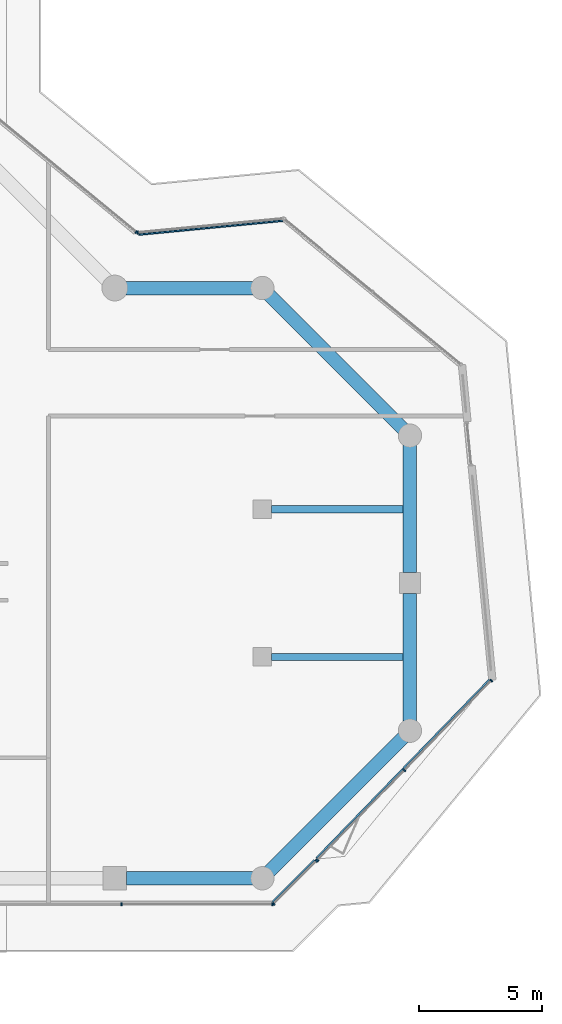
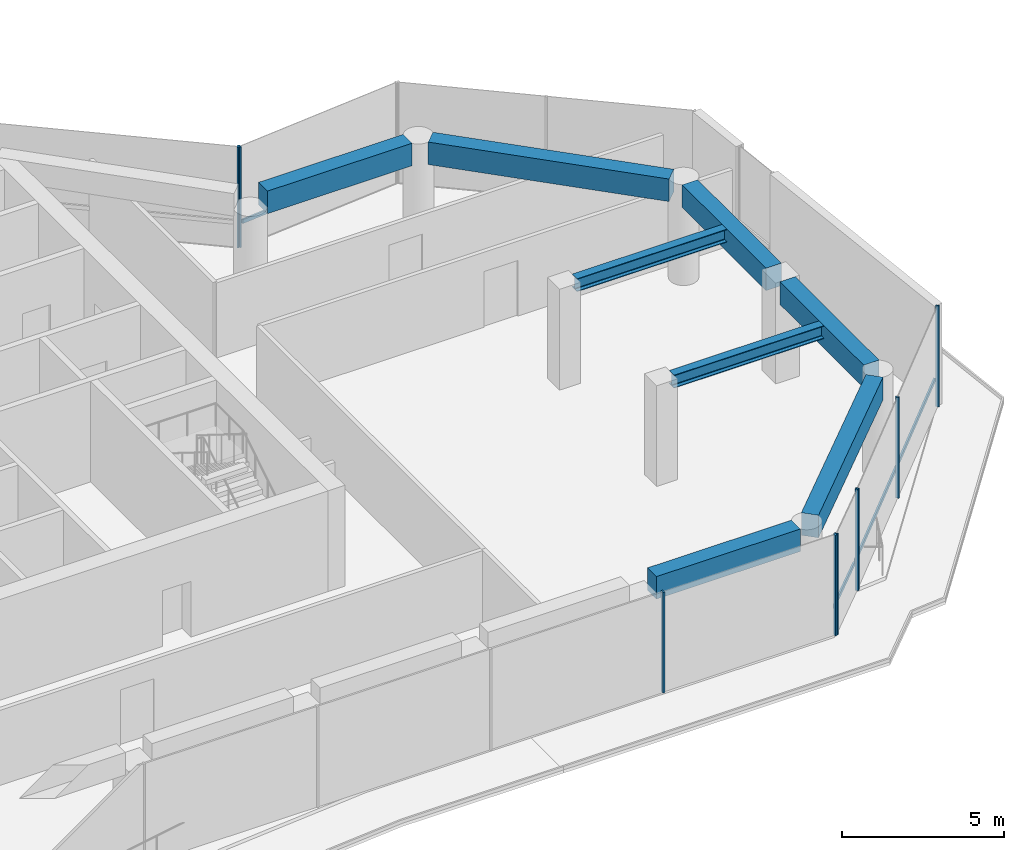
# One storey, part 7 of 22: 12 members, 8 beams, 5 elements without a shape of their own.
"""IFC4 building model written with IfcOpenShell, lengths in metres."""

from ifc_helpers import new_model, si_unit, direction, frame, origin, origin_2d, place, context, subcontext, project, spatial, rectangle, i_section, extrude, material, layer, layer_set, material_profile, profile_set, type_object, element, aggregate, save


model = new_model("IFC4")

# Units and contexts
model_context = context("Model", 3, precision=1e-05, world=origin(), true_north=direction((0.0, 1.0)))
body_context = subcontext(model_context, "Body", "Model", "MODEL_VIEW")
ifc_project = project(units=[si_unit("LENGTHUNIT", "METRE"), si_unit("AREAUNIT", "SQUARE_METRE"), si_unit("VOLUMEUNIT", "CUBIC_METRE"), si_unit("PLANEANGLEUNIT", "RADIAN"), si_unit("MASSUNIT", "GRAM", prefix="KILO")], contexts=[model_context])

# Site, building, storey
site_placement = place(None, origin())
site = spatial("IfcSite", under=ifc_project, at=site_placement, CompositionType="ELEMENT")
building_placement = place(site_placement, origin())
building = spatial("IfcBuilding", under=site, at=building_placement, Name="Welwitschia Terrace Campus", CompositionType="ELEMENT")
storey_placement = place(building_placement, frame((0.0, 0.0, 192.800048828125)))
storey = spatial("IfcBuildingStorey", under=building, at=storey_placement, Name="L43", CompositionType="ELEMENT", Elevation=192.800048828125)

# Beams
ifc_material_1 = material(Name="Steel S355", Category="steel")
ifc_material_profile_1 = material_profile(ifc_material_1, i_section(OverallWidth=0.300048828125, OverallDepth=0.489990234375, WebThickness=0.011962890625, FlangeThickness=0.02294921875, FilletRadius=0.027099609375, at=origin_2d()))
ifc_profile_set_1 = profile_set([ifc_material_profile_1], Name="Steel S355")
beam_type_1 = type_object("IfcBeamType", Name="Interior girder HE 500 A", PredefinedType="BEAM", material=ifc_profile_set_1)
for number, where, z_axis, x_axis, name in (
    (1, (36.37548828125, 5.0, 3.554931640625), (1.0, 0.0, 0.0), (0.0, 1.0, 0.0), "Girder GB4"),
    (2, (36.37548828125, 11.0, 3.554931640625), (1.0, 0.0, 0.0), (0.0, 1.0, 0.0), "Girder GB4"),
):
    element("IfcBeam", number, at=place(storey_placement, frame(where, z_axis=z_axis, x_axis=x_axis)), inside=storey, type_object=beam_type_1, Name=name, PredefinedType="BEAM", context=body_context, shape_type="SweptSolid", body=[
        extrude(i_section(OverallWidth=0.300048828125, OverallDepth=0.489990234375, WebThickness=0.011962890625, FlangeThickness=0.02294921875, FilletRadius=0.027099609375, at=origin_2d()), origin(), (0.0, 0.0, 1.0), 5.634521484375),
    ])

# Curtain wall, members
ifc_material_2 = material(Name="Bronze anodised aluminium", Category="aluminium")
ifc_layer = layer(ifc_material_2, 0.1201171875)
ifc_layer_set = layer_set([ifc_layer], Name="Bronze anodised aluminium")
curtain_wall_type = type_object("IfcCurtainWallType", Name="Curtain wall CW2 tower 6000", PredefinedType="NOTDEFINED", material=ifc_layer_set)
curtain_wall_1_placement = place(storey_placement, origin())
curtain_wall_1 = element("IfcCurtainWall", 3, at=curtain_wall_1_placement, inside=storey, type_object=curtain_wall_type, Name="CW L43.3.0", PredefinedType="NOTDEFINED")
ifc_material_3 = material(Name="Bronze anodised aluminium", Category="aluminium")
ifc_material_profile_2 = material_profile(ifc_material_3, rectangle(XDim=0.1201171875, YDim=0.06005859375, at=origin_2d()))
ifc_profile_set_2 = profile_set([ifc_material_profile_2], Name="Bronze anodised aluminium")
member_type_1 = type_object("IfcMemberType", Name="Mullion 60x120", PredefinedType="MULLION", material=ifc_profile_set_2)
member_1_placement = place(storey_placement, frame((30.262939453125, -5.05810546875, 0.0), z_axis=(0.0, 0.0, 1.0), x_axis=(0.0, 1.0, 0.0)))
member_1 = element("IfcMember", 4, at=member_1_placement, type_object=member_type_1, Name="Mullion L43.3.0.4", PredefinedType="MULLION", context=body_context, shape_type="SweptSolid", body=[
    extrude(rectangle(XDim=0.1201171875, YDim=0.06005859375, at=origin_2d()), origin(), (0.0, 0.0, 1.0), 3.800048828125),
])
member_2_placement = place(storey_placement, frame((36.408203125, -5.05810546875, 0.0), z_axis=(0.0, 0.0, 1.0), x_axis=(0.0, 1.0, 0.0)))
member_2 = element("IfcMember", 5, at=member_2_placement, type_object=member_type_1, Name="Mullion L43.3.0.5", PredefinedType="MULLION", context=body_context, shape_type="SweptSolid", body=[
    extrude(rectangle(XDim=0.1201171875, YDim=0.06005859375, at=origin_2d()), origin(), (0.0, 0.0, 1.0), 3.800048828125),
])
aggregate(curtain_wall_1, [member_1, member_2])

curtain_wall_2_placement = place(storey_placement, origin())
curtain_wall_2 = element("IfcCurtainWall", 6, at=curtain_wall_2_placement, inside=storey, type_object=curtain_wall_type, Name="CW L43.4.0", PredefinedType="NOTDEFINED")
member_3_placement = place(storey_placement, frame((36.45947265625, -5.036865234375, 0.0), z_axis=(0.0, 0.0, 1.0), x_axis=(-0.707106781187, 0.707106781187, 0.0)))
member_3 = element("IfcMember", 7, at=member_3_placement, type_object=member_type_1, Name="Mullion L43.4.0.0", PredefinedType="MULLION", context=body_context, shape_type="SweptSolid", body=[
    extrude(rectangle(XDim=0.1201171875, YDim=0.06005859375, at=origin_2d()), origin(), (0.0, 0.0, 1.0), 3.800048828125),
])
member_4_placement = place(storey_placement, frame((38.197509765625, -3.298828125, 0.0), z_axis=(0.0, 0.0, 1.0), x_axis=(-0.707106781187, 0.707106781187, 0.0)))
member_4 = element("IfcMember", 8, at=member_4_placement, type_object=member_type_1, Name="Mullion L43.4.0.1", PredefinedType="MULLION", context=body_context, shape_type="SweptSolid", body=[
    extrude(rectangle(XDim=0.1201171875, YDim=0.06005859375, at=origin_2d()), origin(), (0.0, 0.0, 1.0), 3.800048828125),
])

curtain_wall_3_placement = place(storey_placement, origin())
curtain_wall_3 = element("IfcCurtainWall", 9, at=curtain_wall_3_placement, inside=storey, type_object=curtain_wall_type, Name="CW L43.5.0", PredefinedType="NOTDEFINED")
member_5_placement = place(storey_placement, frame((38.239501953125, -3.255859375, 0.0), z_axis=(0.0, 0.0, 1.0), x_axis=(-0.718023031238, 0.696019343562, 0.0)))
member_5 = element("IfcMember", 10, at=member_5_placement, type_object=member_type_1, Name="Mullion L43.5.0.0", PredefinedType="MULLION", context=body_context, shape_type="SweptSolid", body=[
    extrude(rectangle(XDim=0.1201171875, YDim=0.06005859375, at=origin_2d()), origin(), (0.0, 0.0, 1.0), 3.800048828125),
])
member_6_placement = place(storey_placement, frame((41.77392578125, 0.389892578125, 0.0), z_axis=(0.0, 0.0, 1.0), x_axis=(-0.718023031238, 0.696019343562, 0.0)))
member_6 = element("IfcMember", 11, at=member_6_placement, type_object=member_type_1, Name="Mullion L43.5.0.1", PredefinedType="MULLION", context=body_context, shape_type="SweptSolid", body=[
    extrude(rectangle(XDim=0.1201171875, YDim=0.06005859375, at=origin_2d()), origin(), (0.0, 0.0, 1.0), 3.800048828125),
])
member_7_placement = place(storey_placement, frame((45.30810546875, 4.035888671875, 0.0), z_axis=(0.0, 0.0, 1.0), x_axis=(-0.718023031238, 0.696019343562, 0.0)))
member_7 = element("IfcMember", 12, at=member_7_placement, type_object=member_type_1, Name="Mullion L43.5.0.2", PredefinedType="MULLION", context=body_context, shape_type="SweptSolid", body=[
    extrude(rectangle(XDim=0.1201171875, YDim=0.06005859375, at=origin_2d()), origin(), (0.0, 0.0, 1.0), 3.800048828125),
])

# Curtain wall, member
curtain_wall_4_placement = place(storey_placement, origin())
curtain_wall_4 = element("IfcCurtainWall", 13, at=curtain_wall_4_placement, inside=storey, type_object=curtain_wall_type, Name="CW L43.8.0", PredefinedType="NOTDEFINED")
member_8_placement = place(storey_placement, frame((30.928466796875, 22.25732421875, 0.0), z_axis=(0.0, 0.0, 1.0), x_axis=(0.09584575252, -0.995396198367, 0.0)))
member_8 = element("IfcMember", 14, at=member_8_placement, type_object=member_type_1, Name="Mullion L43.8.0.1", PredefinedType="MULLION", context=body_context, shape_type="SweptSolid", body=[
    extrude(rectangle(XDim=0.1201171875, YDim=0.06005859375, at=origin_2d()), origin(), (0.0, 0.0, 1.0), 3.800048828125),
])

curtain_wall_5_placement = place(storey_placement, origin())
curtain_wall_5 = element("IfcCurtainWall", 15, at=curtain_wall_5_placement, inside=storey, type_object=curtain_wall_type, Name="CW L43.9.0", PredefinedType="NOTDEFINED")
member_9_placement = place(storey_placement, frame((30.87548828125, 22.2734375, 0.0), z_axis=(0.0, 0.0, 1.0), x_axis=(-0.636078220278, -0.771624583388, 0.0)))
member_9 = element("IfcMember", 16, at=member_9_placement, type_object=member_type_1, Name="Mullion L43.9.0.0", PredefinedType="MULLION", context=body_context, shape_type="SweptSolid", body=[
    extrude(rectangle(XDim=0.1201171875, YDim=0.06005859375, at=origin_2d()), origin(), (0.0, 0.0, 1.0), 3.800048828125),
])
aggregate(curtain_wall_5, [member_9])

# Beams
ifc_material_4 = material(Name="Concrete C50/60", Category="concrete")
ifc_material_profile_3 = material_profile(ifc_material_4, rectangle(XDim=0.550048828125, YDim=0.85009765625, at=origin_2d()))
ifc_profile_set_3 = profile_set([ifc_material_profile_3], Name="Concrete C50/60")
beam_type_2 = type_object("IfcBeamType", Name="Ring spandrel 550x850", PredefinedType="SPANDREL", material=ifc_profile_set_3)
beam_1_placement = place(storey_placement, frame((30.4755859375, -4.0, 3.375), z_axis=(1.0, 0.0, 0.0), x_axis=(0.0, 1.0, 0.0)))
element("IfcBeam", 17, at=beam_1_placement, inside=storey, type_object=beam_type_2, Name="Spandrel SP3", PredefinedType="SPANDREL", context=body_context, shape_type="SweptSolid", body=[
    extrude(rectangle(XDim=0.550048828125, YDim=0.85009765625, at=origin_2d()), origin(), (0.0, 0.0, 1.0), 5.136474609375),
])
beam_2_placement = place(storey_placement, frame((36.2744140625, -3.7255859375, 3.375), z_axis=(0.707106781187, 0.707106781187, 0.0), x_axis=(-0.707106781187, 0.707106781187, 0.0)))
element("IfcBeam", 18, at=beam_2_placement, inside=storey, type_object=beam_type_2, Name="Spandrel SP3", PredefinedType="SPANDREL", context=body_context, shape_type="SweptSolid", body=[
    extrude(rectangle(XDim=0.550048828125, YDim=0.85009765625, at=origin_2d()), origin(), (0.0, 0.0, 1.0), 7.709228515625),
])
for number, where, z_axis, x_axis, name in (
    (19, (42.0, 2.387939453125, 3.375), (0.0, 1.0, 0.0), (-1.0, 0.0, 0.0), "Spandrel SP3"),
    (20, (42.0, 8.425537109375, 3.375), (0.0, 1.0, 0.0), (-1.0, 0.0, 0.0), "Spandrel SP3"),
):
    element("IfcBeam", number, at=place(storey_placement, frame(where, z_axis=z_axis, x_axis=x_axis)), inside=storey, type_object=beam_type_2, Name=name, PredefinedType="SPANDREL", context=body_context, shape_type="SweptSolid", body=[
        extrude(rectangle(XDim=0.550048828125, YDim=0.85009765625, at=origin_2d()), origin(), (0.0, 0.0, 1.0), 5.1865234375),
    ])
beam_3_placement = place(storey_placement, frame((41.7255859375, 14.2744140625, 3.375), z_axis=(-0.707106781187, 0.707106781187, 0.0), x_axis=(-0.707106781187, -0.707106781187, 0.0)))
element("IfcBeam", 21, at=beam_3_placement, inside=storey, type_object=beam_type_2, Name="Spandrel SP3", PredefinedType="SPANDREL", context=body_context, shape_type="SweptSolid", body=[
    extrude(rectangle(XDim=0.550048828125, YDim=0.85009765625, at=origin_2d()), origin(), (0.0, 0.0, 1.0), 7.709228515625),
])
beam_4_placement = place(storey_placement, frame((35.612060546875, 20.0, 3.375), z_axis=(-1.0, 0.0, 0.0), x_axis=(0.0, -1.0, 0.0)))
element("IfcBeam", 22, at=beam_4_placement, inside=storey, type_object=beam_type_2, Name="Spandrel SP3", PredefinedType="SPANDREL", context=body_context, shape_type="SweptSolid", body=[
    extrude(rectangle(XDim=0.550048828125, YDim=0.85009765625, at=origin_2d()), origin(), (0.0, 0.0, 1.0), 5.1640625),
])

# Member
ifc_material_5 = material(Name="Bronze anodised aluminium", Category="aluminium")
ifc_material_profile_4 = material_profile(ifc_material_5, rectangle(XDim=0.06005859375, YDim=0.14990234375, at=origin_2d()))
ifc_profile_set_4 = profile_set([ifc_material_profile_4], Name="Bronze anodised aluminium")
member_type_2 = type_object("IfcMemberType", Name="Transom 60x150", PredefinedType="USERDEFINED", material=ifc_profile_set_4)
member_10_placement = place(storey_placement, frame((36.4169921875, -4.951904296875, 1.0), z_axis=(0.707157683305, 0.707055875404, 0.0), x_axis=(-0.707055875404, 0.707157683305, 0.0)))
member_10 = element("IfcMember", 23, at=member_10_placement, type_object=member_type_2, Name="Transom L43.4.0", ObjectType="TRANSOM", PredefinedType="USERDEFINED", context=body_context, shape_type="SweptSolid", body=[
    extrude(rectangle(XDim=0.06005859375, YDim=0.14990234375, at=origin_2d()), origin(), (0.0, 0.0, 1.0), 2.39794921875),
])

aggregate(curtain_wall_2, [member_3, member_4, member_10])

member_11_placement = place(storey_placement, frame((38.19580078125, -3.171875, 1.0), z_axis=(0.696018172149, 0.718024166751, 0.0), x_axis=(-0.718024166751, 0.696018172149, 0.0)))
member_11 = element("IfcMember", 24, at=member_11_placement, type_object=member_type_2, Name="Transom L43.5.0", ObjectType="TRANSOM", PredefinedType="USERDEFINED", context=body_context, shape_type="SweptSolid", body=[
    extrude(rectangle(XDim=0.06005859375, YDim=0.14990234375, at=origin_2d()), origin(), (0.0, 0.0, 1.0), 10.095703125),
])

aggregate(curtain_wall_3, [member_5, member_6, member_7, member_11])

member_12_placement = place(storey_placement, frame((36.820068359375, 22.734130859375, 1.0), z_axis=(-0.995397915941, -0.095827913156, 0.0), x_axis=(0.095827913156, -0.995397915941, 0.0)))
member_12 = element("IfcMember", 25, at=member_12_placement, type_object=member_type_2, Name="Transom L43.8.0", ObjectType="TRANSOM", PredefinedType="USERDEFINED", context=body_context, shape_type="SweptSolid", body=[
    extrude(rectangle(XDim=0.06005859375, YDim=0.14990234375, at=origin_2d()), origin(), (0.0, 0.0, 1.0), 5.880126953125),
])

aggregate(curtain_wall_4, [member_8, member_12])

save(model, "model.ifc")
